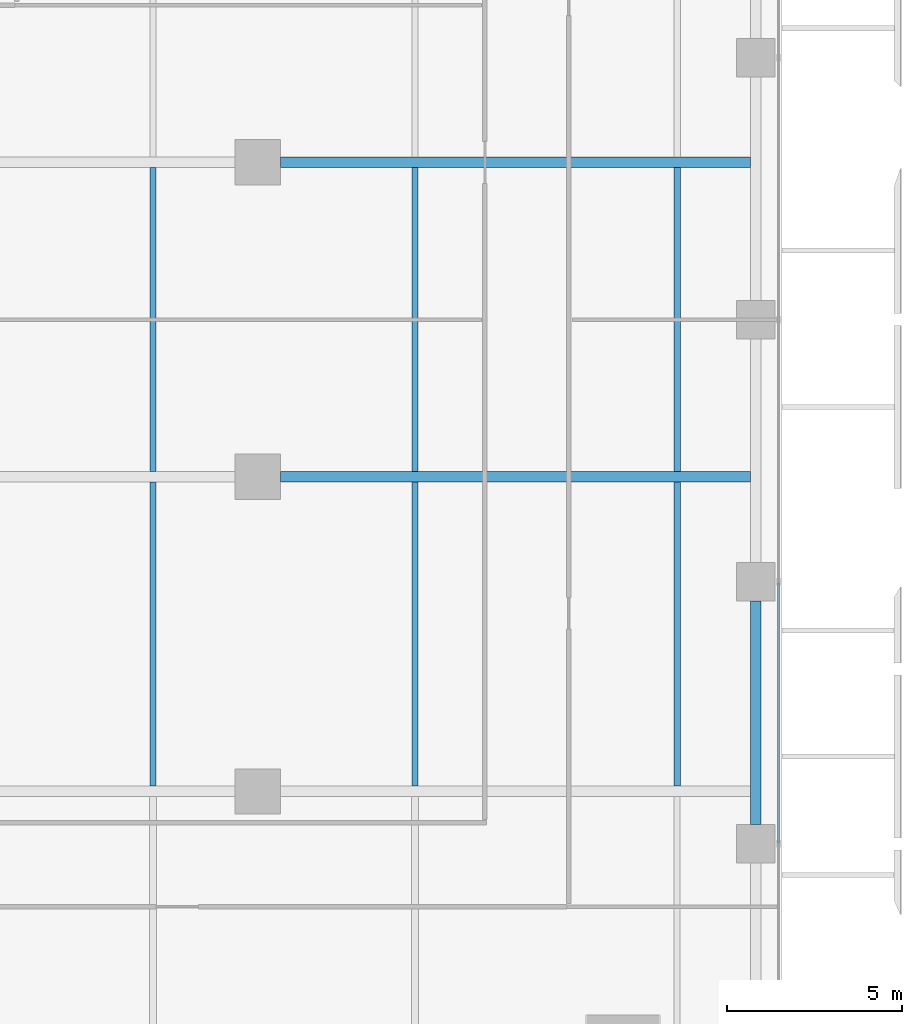
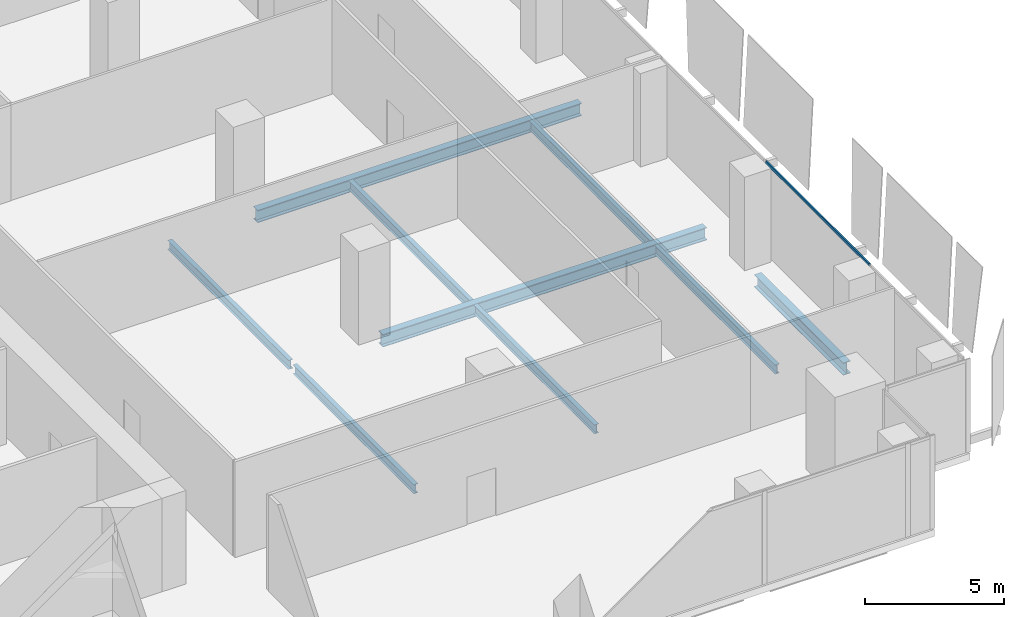
# One storey, part 12 of 33: 9 beams, 1 member, 1 element without a shape of its own.
"""IFC4 building model written with IfcOpenShell, lengths in metres."""

from ifc_helpers import new_model, si_unit, direction, frame, origin, origin_2d, place, context, subcontext, project, spatial, hollow_rectangle, i_section, extrude, source, transform, mapped, material, material_profile, profile_set, type_object, element, aggregate, save


model = new_model("IFC4")

# Units and contexts
model_context = context("Model", 3, precision=1e-05, world=origin(), true_north=direction((0.0, 1.0)))
body_context = subcontext(model_context, "Body", "Model", "MODEL_VIEW")
ifc_project = project(units=[si_unit("LENGTHUNIT", "METRE"), si_unit("AREAUNIT", "SQUARE_METRE"), si_unit("VOLUMEUNIT", "CUBIC_METRE"), si_unit("PLANEANGLEUNIT", "RADIAN"), si_unit("MASSUNIT", "GRAM", prefix="KILO")], contexts=[model_context])

# Site, building, storey
site_placement = place(None, origin())
site = spatial("IfcSite", under=ifc_project, at=site_placement, CompositionType="ELEMENT")
building_placement = place(site_placement, origin())
building = spatial("IfcBuilding", under=site, at=building_placement, Name="Khomas Fold Tower", CompositionType="ELEMENT")
storey_placement = place(building_placement, frame((0.0, 0.0, 149.89990234375)))
storey = spatial("IfcBuildingStorey", under=building, at=storey_placement, Name="L32", CompositionType="ELEMENT", Elevation=149.89990234375)

# Beams
ifc_material_1 = material(Name="Steel S355", Category="steel")
ifc_material_profile_1 = material_profile(ifc_material_1, i_section(OverallWidth=0.179931640625, OverallDepth=0.39990234375, WebThickness=0.008544921875, FlangeThickness=0.013427734375, at=origin_2d()), Name="IPE 400")
ifc_profile_set_1 = profile_set([ifc_material_profile_1], Name="Steel S355")
beam_type_1 = type_object("IfcBeamType", Name="IPE 400 beam JB3", PredefinedType="BEAM", material=ifc_profile_set_1)
shared_shape_1 = source(origin(), body_context, "Body", "SweptSolid", [
    extrude(i_section(OverallWidth=0.179931640625, OverallDepth=0.39990234375, WebThickness=0.008544921875, FlangeThickness=0.013427734375, at=origin_2d()), origin(), (0.0, 0.0, 1.0), 8.7001953125),
])
for number, where, z_axis, x_axis, name in (
    (1, (34.5, 13.64990234375, -0.5), (0.0, 1.0, 0.0), (-1.0, 0.0, 0.0), "JB3"),
    (2, (34.5, 22.64990234375, -0.5), (0.0, 1.0, 0.0), (-1.0, 0.0, 0.0), "JB3"),
    (3, (42.0, 13.64990234375, -0.5), (0.0, 1.0, 0.0), (-1.0, 0.0, 0.0), "JB3"),
    (4, (42.0, 22.64990234375, -0.5), (0.0, 1.0, 0.0), (-1.0, 0.0, 0.0), "JB3"),
    (5, (49.5, 13.64990234375, -0.5), (0.0, 1.0, 0.0), (-1.0, 0.0, 0.0), "JB3"),
    (6, (49.5, 22.64990234375, -0.5), (0.0, 1.0, 0.0), (-1.0, 0.0, 0.0), "JB3"),
):
    element("IfcBeam", number, at=place(storey_placement, frame(where, z_axis=z_axis, x_axis=x_axis)), inside=storey, type_object=beam_type_1, Name=name, PredefinedType="BEAM", context=body_context, shape_type="MappedRepresentation", body=[
        mapped(shared_shape_1, transform((0.0, 0.0, 0.0))),
    ])
ifc_material_2 = material(Name="Steel S355", Category="steel")
ifc_material_profile_2 = material_profile(ifc_material_2, i_section(OverallWidth=0.300048828125, OverallDepth=0.550048828125, WebThickness=0.014892578125, FlangeThickness=0.029052734375, at=origin_2d()), Name="HE 550 B")
ifc_profile_set_2 = profile_set([ifc_material_profile_2], Name="Steel S355")
beam_type_2 = type_object("IfcBeamType", Name="HE 550 B spandrel SB2", PredefinedType="SPANDREL", material=ifc_profile_set_2)
shared_shape_2 = source(origin(), body_context, "Body", "SweptSolid", [
    extrude(i_section(OverallWidth=0.300048828125, OverallDepth=0.550048828125, WebThickness=0.014892578125, FlangeThickness=0.029052734375, at=origin_2d()), origin(), (0.0, 0.0, 1.0), 6.39990234375),
])
beam_placement = place(storey_placement, frame((51.75, 12.550048828125, -0.574951171875), z_axis=(0.0, 1.0, 0.0), x_axis=(-1.0, 0.0, 0.0)))
element("IfcBeam", 7, at=beam_placement, inside=storey, type_object=beam_type_2, Name="SB2", PredefinedType="SPANDREL", context=body_context, shape_type="MappedRepresentation", body=[
    mapped(shared_shape_2, transform((0.0, 0.0, 0.0))),
])
ifc_material_3 = material(Name="Steel S355", Category="steel")
ifc_material_profile_3 = material_profile(ifc_material_3, i_section(OverallWidth=0.300048828125, OverallDepth=0.550048828125, WebThickness=0.014892578125, FlangeThickness=0.029052734375, at=origin_2d()), Name="HE 550 B")
ifc_profile_set_3 = profile_set([ifc_material_profile_3], Name="Steel S355")
beam_type_3 = type_object("IfcBeamType", Name="HE 550 B beam GB4", PredefinedType="BEAM", material=ifc_profile_set_3)
shared_shape_3 = source(origin(), body_context, "Body", "SweptSolid", [
    extrude(i_section(OverallWidth=0.300048828125, OverallDepth=0.550048828125, WebThickness=0.014892578125, FlangeThickness=0.029052734375, at=origin_2d()), origin(), (0.0, 0.0, 1.0), 13.4501953125),
])
for number, where, z_axis, x_axis, name in (
    (8, (38.14990234375, 22.5, -0.574951171875), (1.0, 0.0, 0.0), (0.0, 1.0, 0.0), "GB4"),
    (9, (38.14990234375, 31.5, -0.574951171875), (1.0, 0.0, 0.0), (0.0, 1.0, 0.0), "GB4"),
):
    element("IfcBeam", number, at=place(storey_placement, frame(where, z_axis=z_axis, x_axis=x_axis)), inside=storey, type_object=beam_type_3, Name=name, PredefinedType="BEAM", context=body_context, shape_type="MappedRepresentation", body=[
        mapped(shared_shape_3, transform((0.0, 0.0, 0.0))),
    ])

# Curtain wall, member
ifc_material_4 = material(Name="Aluminium framed double glazing", Category="aluminium")
curtain_wall_type = type_object("IfcCurtainWallType", Name="SK-Unitised clear-glass wall, growing floors CW1", PredefinedType="NOTDEFINED", material=ifc_material_4)
curtain_wall_placement = place(storey_placement, origin())
curtain_wall = element("IfcCurtainWall", 10, at=curtain_wall_placement, inside=storey, type_object=curtain_wall_type, Name="CW1 run L32 03-0", PredefinedType="NOTDEFINED")
ifc_material_5 = material(Name="Aluminium", Category="aluminium")
ifc_material_profile_4 = material_profile(ifc_material_5, hollow_rectangle(XDim=0.06005859375, YDim=0.1201171875, WallThickness=0.00390625, at=origin_2d()), Name="SK-Unitised clear-glass wall, growing floors transom CW1-T")
ifc_profile_set_4 = profile_set([ifc_material_profile_4], Name="Aluminium")
member_type = type_object("IfcMemberType", Name="SK-Unitised clear-glass wall, growing floors transom CW1-T", PredefinedType="USERDEFINED", material=ifc_profile_set_4)
shared_shape_4 = source(origin(), body_context, "Body", "SweptSolid", [
    extrude(hollow_rectangle(XDim=0.06005859375, YDim=0.1201171875, WallThickness=0.00390625, at=origin_2d()), origin(), (0.0, 0.0, 1.0), 7.43994140625),
])
member_placement = place(storey_placement, frame((52.39990234375, 12.030029296875, 4.0400390625), z_axis=(0.0, 1.0, 0.0), x_axis=(-1.0, 0.0, 0.0)))
member = element("IfcMember", 11, at=member_placement, type_object=member_type, Name="CW1 transom 3", ObjectType="TRANSOM", PredefinedType="USERDEFINED", context=body_context, shape_type="MappedRepresentation", body=[
    mapped(shared_shape_4, transform((0.0, 0.0, 0.0))),
])
aggregate(curtain_wall, [member])

save(model, "model.ifc")
